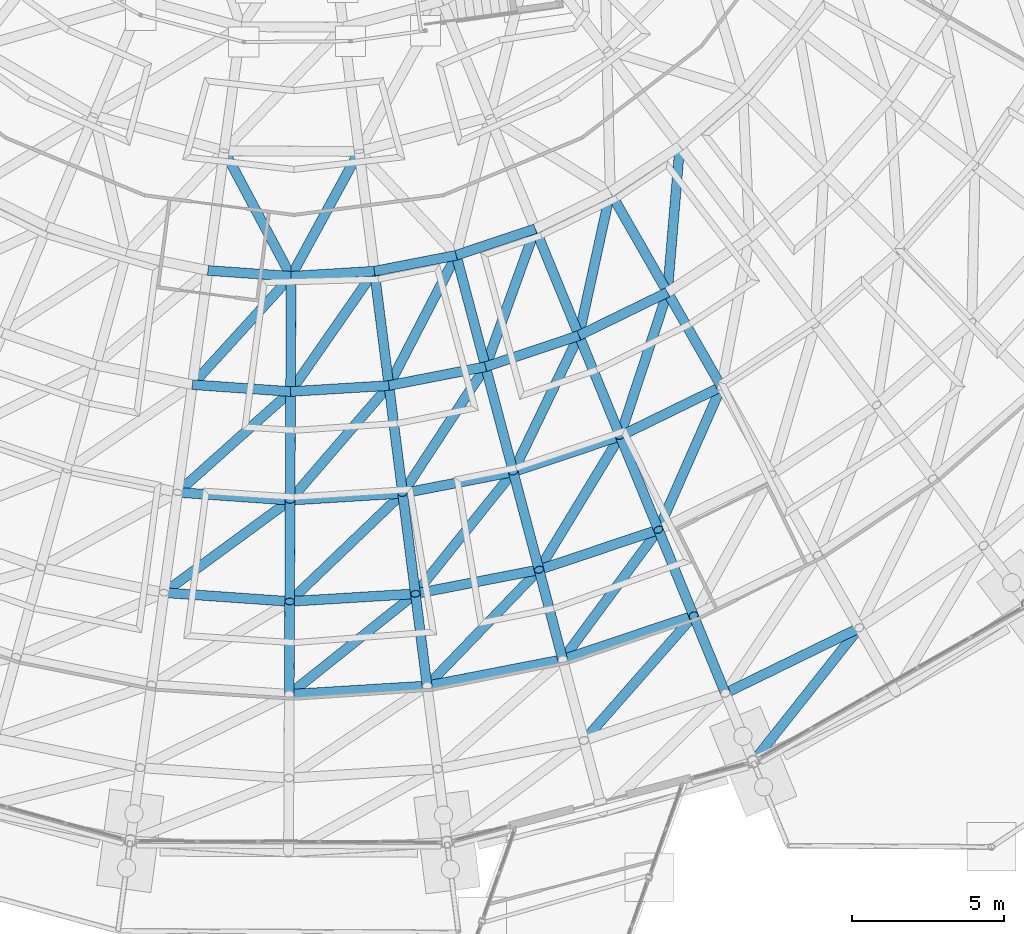
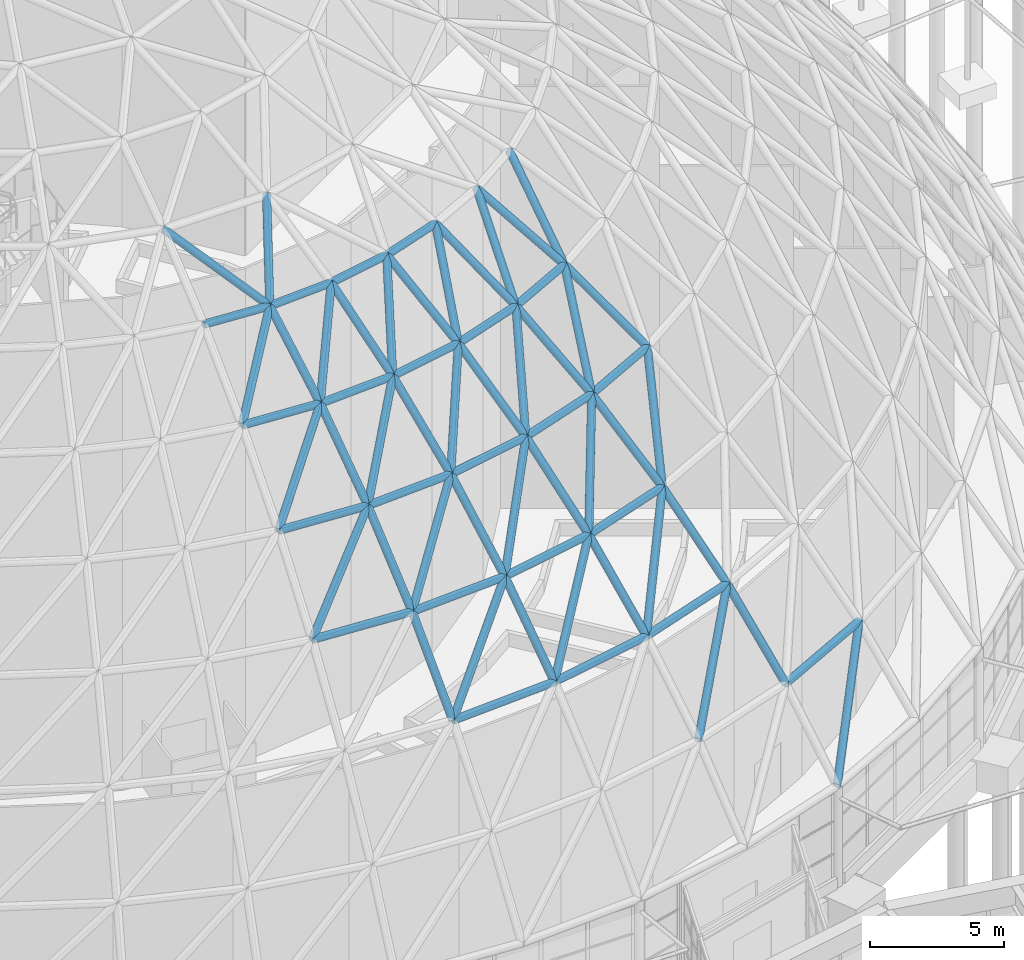
# One storey, part 100 of 226: 64 members.
"""IFC4 building model written with IfcOpenShell, lengths in metres."""

from ifc_helpers import new_model, si_unit, direction, frame, origin, origin_2d, place, context, subcontext, project, spatial, hollow_circle, extrude, material, material_profile, profile_set, type_object, element, save


model = new_model("IFC4")

# Units and contexts
model_context = context("Model", 3, precision=1e-05, world=origin(), true_north=direction((0.0, 1.0)))
body_context = subcontext(model_context, "Body", "Model", "MODEL_VIEW")
ifc_project = project(units=[si_unit("LENGTHUNIT", "METRE"), si_unit("AREAUNIT", "SQUARE_METRE"), si_unit("VOLUMEUNIT", "CUBIC_METRE"), si_unit("PLANEANGLEUNIT", "RADIAN"), si_unit("MASSUNIT", "GRAM", prefix="KILO")], contexts=[model_context])

# Site, building, storey
site_placement = place(None, origin())
site = spatial("IfcSite", under=ifc_project, at=site_placement, CompositionType="ELEMENT")
building_placement = place(site_placement, origin())
building = spatial("IfcBuilding", under=site, at=building_placement, Name="Ceibo Conservatory and Research Tower", CompositionType="ELEMENT")
storey_placement = place(building_placement, origin())
storey = spatial("IfcBuildingStorey", under=building, at=storey_placement, Name="L00", CompositionType="ELEMENT", Elevation=0.0)

# Members
ifc_material = material(Name="Steel ASTM A500 Gr C", Category="steel")
ifc_material_profile_1 = material_profile(ifc_material, hollow_circle(Radius=0.161865234375, WallThickness=0.01025390625, at=origin_2d()), Name="CHS 323.9x10.31")
ifc_profile_set_1 = profile_set([ifc_material_profile_1], Name="Steel ASTM A500 Gr C")
member_type_1 = type_object("IfcMemberType", Name="CHS 323.9x10.31", PredefinedType="NOTDEFINED", material=ifc_profile_set_1)
member_1_placement = place(storey_placement, frame((170.22412109375, 73.23193359375, 8.115966796875), z_axis=(0.898767012924, 0.438426569084, 0.0), x_axis=(-0.438426569084, 0.898767012924, 0.0)))
element("IfcMember", 1, at=member_1_placement, inside=storey, type_object=member_type_1, Name="Gridshell member A-C02-39", PredefinedType="CHORD", context=body_context, shape_type="SweptSolid", body=[
    extrude(hollow_circle(Radius=0.161865234375, WallThickness=0.01025390625, at=origin_2d()), origin(), (0.0, 0.0, 1.0), 4.9130859375),
])
for number, where, z_axis, x_axis, name in (
    (2, (155.847900390625, 73.195068359375, 11.489013671875), (0.998136170096, 0.061026108718, 0.0), (-0.061026108718, 0.998136170096, 0.0), "Gridshell member A-C03-36"),
    (3, (160.39208984375, 73.472900390625, 11.489013671875), (0.981608411762, 0.190905541976, 0.0), (-0.190905541976, 0.981608411762, 0.0), "Gridshell member A-C03-37"),
):
    element("IfcMember", number, at=place(storey_placement, frame(where, z_axis=z_axis, x_axis=x_axis)), inside=storey, type_object=member_type_1, Name=name, PredefinedType="CHORD", context=body_context, shape_type="SweptSolid", body=[
        extrude(hollow_circle(Radius=0.161865234375, WallThickness=0.01025390625, at=origin_2d()), origin(), (0.0, 0.0, 1.0), 4.552734375),
    ])
member_2_placement = place(storey_placement, frame((164.861083984375, 74.342041015625, 11.489013671875), z_axis=(0.948301917191, 0.31736961709, 0.0), x_axis=(-0.31736961709, 0.948301917191, 0.0)))
element("IfcMember", 4, at=member_2_placement, inside=storey, type_object=member_type_1, Name="Gridshell member A-C03-38", PredefinedType="CHORD", context=body_context, shape_type="SweptSolid", body=[
    extrude(hollow_circle(Radius=0.161865234375, WallThickness=0.01025390625, at=origin_2d()), origin(), (0.0, 0.0, 1.0), 4.55322265625),
])
member_3_placement = place(storey_placement, frame((151.718994140625, 76.547119140625, 14.591064453125), z_axis=(0.997557410508, -0.069851361764, 0.0), x_axis=(0.069851361764, 0.997557410508, 0.0)))
element("IfcMember", 5, at=member_3_placement, inside=storey, type_object=member_type_1, Name="Gridshell member A-C04-35", PredefinedType="CHORD", context=body_context, shape_type="SweptSolid", body=[
    extrude(hollow_circle(Radius=0.161865234375, WallThickness=0.01025390625, at=origin_2d()), origin(), (0.0, 0.0, 1.0), 4.15234375),
])
member_4_placement = place(storey_placement, frame((155.861083984375, 76.257080078125, 14.591064453125), z_axis=(0.998129130349, 0.061141141216, 0.0), x_axis=(-0.061141141216, 0.998129130349, 0.0)))
element("IfcMember", 6, at=member_4_placement, inside=storey, type_object=member_type_1, Name="Gridshell member A-C04-36", PredefinedType="CHORD", context=body_context, shape_type="SweptSolid", body=[
    extrude(hollow_circle(Radius=0.161865234375, WallThickness=0.01025390625, at=origin_2d()), origin(), (0.0, 0.0, 1.0), 4.15283203125),
])
member_5_placement = place(storey_placement, frame((160.006103515625, 76.510986328125, 14.591064453125), z_axis=(0.981640168546, 0.190742180699, 0.0), x_axis=(-0.190742180699, 0.981640168546, 0.0)))
element("IfcMember", 7, at=member_5_placement, inside=storey, type_object=member_type_1, Name="Gridshell member A-C04-37", PredefinedType="CHORD", context=body_context, shape_type="SweptSolid", body=[
    extrude(hollow_circle(Radius=0.161865234375, WallThickness=0.01025390625, at=origin_2d()), origin(), (0.0, 0.0, 1.0), 4.152099609375),
])
member_6_placement = place(storey_placement, frame((164.08203125, 77.302978515625, 14.591064453125), z_axis=(0.948264966495, 0.317480004596, 0.0), x_axis=(-0.317480004596, 0.948264966495, 0.0)))
element("IfcMember", 8, at=member_6_placement, inside=storey, type_object=member_type_1, Name="Gridshell member A-C04-38", PredefinedType="CHORD", context=body_context, shape_type="SweptSolid", body=[
    extrude(hollow_circle(Radius=0.161865234375, WallThickness=0.01025390625, at=origin_2d()), origin(), (0.0, 0.0, 1.0), 4.15185546875),
])
member_7_placement = place(storey_placement, frame((155.8759765625, 79.594970703125, 17.39501953125), z_axis=(0.00369728709, 0.822142202026, 0.569270172867), x_axis=(-0.999989888027, 0.00449709271, 0.0)))
element("IfcMember", 9, at=member_7_placement, inside=storey, type_object=member_type_1, Name="Gridshell member A-M36-05", PredefinedType="RAFTER", context=body_context, shape_type="SweptSolid", body=[
    extrude(hollow_circle(Radius=0.161865234375, WallThickness=0.01025390625, at=origin_2d()), origin(), (0.0, 0.0, 1.0), 4.358154296875),
])
member_8_placement = place(storey_placement, frame((159.5849609375, 79.822021484375, 17.39501953125), z_axis=(-0.103701353107, 0.815548674865, 0.569320988801), x_axis=(-0.992012492147, -0.126139666344, 0.0)))
element("IfcMember", 10, at=member_8_placement, inside=storey, type_object=member_type_1, Name="Gridshell member A-M37-05", PredefinedType="RAFTER", context=body_context, shape_type="SweptSolid", body=[
    extrude(hollow_circle(Radius=0.161865234375, WallThickness=0.01025390625, at=origin_2d()), origin(), (0.0, 0.0, 1.0), 4.357666015625),
])
member_9_placement = place(storey_placement, frame((163.23193359375, 80.531005859375, 17.39501953125), z_axis=(-0.20923213437, 0.795082110604, 0.569268259562), x_axis=(-0.967074537263, -0.25449329928, 0.0)))
element("IfcMember", 11, at=member_9_placement, inside=storey, type_object=member_type_1, Name="Gridshell member A-M38-05", PredefinedType="RAFTER", context=body_context, shape_type="SweptSolid", body=[
    extrude(hollow_circle(Radius=0.161865234375, WallThickness=0.01025390625, at=origin_2d()), origin(), (0.0, 0.0, 1.0), 4.358154296875),
])
member_10_placement = place(storey_placement, frame((166.756103515625, 81.7099609375, 17.39501953125), z_axis=(-0.311420288598, 0.760876121558, 0.569284578653), x_axis=(-0.925481817254, -0.378792035202, 0.0)))
element("IfcMember", 12, at=member_10_placement, inside=storey, type_object=member_type_1, Name="Gridshell member A-M39-05", PredefinedType="RAFTER", context=body_context, shape_type="SweptSolid", body=[
    extrude(hollow_circle(Radius=0.161865234375, WallThickness=0.01025390625, at=origin_2d()), origin(), (0.0, 0.0, 1.0), 4.35791015625),
])
member_11_placement = place(storey_placement, frame((170.094970703125, 83.339111328125, 17.39501953125), z_axis=(-0.407982781221, 0.713787806992, 0.569260060795), x_axis=(-0.868188628102, -0.496234325731, 0.0)))
element("IfcMember", 13, at=member_11_placement, inside=storey, type_object=member_type_1, Name="Gridshell member A-M40-05", PredefinedType="RAFTER", context=body_context, shape_type="SweptSolid", body=[
    extrude(hollow_circle(Radius=0.161865234375, WallThickness=0.01025390625, at=origin_2d()), origin(), (0.0, 0.0, 1.0), 4.358154296875),
])
member_12_placement = place(storey_placement, frame((155.89208984375, 83.177978515625, 19.8759765625), z_axis=(0.003639937744, 0.871625092103, 0.490159616523), x_axis=(-0.999991280476, 0.004175999565, 0.0)))
element("IfcMember", 14, at=member_12_placement, inside=storey, type_object=member_type_1, Name="Gridshell member A-M36-06", PredefinedType="RAFTER", context=body_context, shape_type="SweptSolid", body=[
    extrude(hollow_circle(Radius=0.161865234375, WallThickness=0.01025390625, at=origin_2d()), origin(), (0.0, 0.0, 1.0), 4.359619140625),
])
member_13_placement = place(storey_placement, frame((159.133056640625, 83.3759765625, 19.8759765625), z_axis=(-0.110085992595, 0.864673396571, 0.490123445162), x_axis=(-0.991992644609, -0.126295657253, 0.0)))
element("IfcMember", 15, at=member_13_placement, inside=storey, type_object=member_type_1, Name="Gridshell member A-M37-06", PredefinedType="RAFTER", context=body_context, shape_type="SweptSolid", body=[
    extrude(hollow_circle(Radius=0.161865234375, WallThickness=0.01025390625, at=origin_2d()), origin(), (0.0, 0.0, 1.0), 4.360107421875),
])
member_14_placement = place(storey_placement, frame((162.320068359375, 83.99609375, 19.8759765625), z_axis=(-0.222032554311, 0.84288373455, 0.490151563149), x_axis=(-0.967012094231, -0.254730464631, 0.0)))
element("IfcMember", 16, at=member_14_placement, inside=storey, type_object=member_type_1, Name="Gridshell member A-M38-06", PredefinedType="RAFTER", context=body_context, shape_type="SweptSolid", body=[
    extrude(hollow_circle(Radius=0.161865234375, WallThickness=0.01025390625, at=origin_2d()), origin(), (0.0, 0.0, 1.0), 4.35986328125),
])
member_15_placement = place(storey_placement, frame((165.39892578125, 85.02587890625, 19.8759765625), z_axis=(-0.330059067962, 0.806723945208, 0.49016067558), x_axis=(-0.925532628043, -0.378667868227, 0.0)))
element("IfcMember", 17, at=member_15_placement, inside=storey, type_object=member_type_1, Name="Gridshell member A-M39-06", PredefinedType="RAFTER", context=body_context, shape_type="SweptSolid", body=[
    extrude(hollow_circle(Radius=0.161865234375, WallThickness=0.01025390625, at=origin_2d()), origin(), (0.0, 0.0, 1.0), 4.359619140625),
])
member_16_placement = place(storey_placement, frame((168.31689453125, 86.449951171875, 19.8759765625), z_axis=(-0.432590332967, 0.756711089888, 0.490157046532), x_axis=(-0.868152195161, -0.49629806169, 0.0)))
element("IfcMember", 18, at=member_16_placement, inside=storey, type_object=member_type_1, Name="Gridshell member A-M40-06", PredefinedType="RAFTER", context=body_context, shape_type="SweptSolid", body=[
    extrude(hollow_circle(Radius=0.161865234375, WallThickness=0.01025390625, at=origin_2d()), origin(), (0.0, 0.0, 1.0), 4.35986328125),
])
ifc_material_profile_2 = material_profile(ifc_material, hollow_circle(Radius=0.161865234375, WallThickness=0.01416015625, at=origin_2d()), Name="CHS 323.9x14.27")
ifc_profile_set_2 = profile_set([ifc_material_profile_2], Name="Steel ASTM A500 Gr C")
member_type_2 = type_object("IfcMemberType", Name="CHS 323.9x14.27", PredefinedType="NOTDEFINED", material=ifc_profile_set_2)
for number, where, z_axis, x_axis, name in (
    (19, (170.22412109375, 73.23193359375, 8.115966796875), (-0.239785476286, 0.586216957441, 0.773855673993), (-0.92556385973, -0.378591523362, 0.0), "Gridshell member A-M39-02"),
    (20, (155.847900390625, 73.195068359375, 11.489013671875), (0.003024618665, 0.702495690598, 0.711681569505), (-0.99999073132, 0.004305493501, 0.0), "Gridshell member A-M36-03"),
):
    element("IfcMember", number, at=place(storey_placement, frame(where, z_axis=z_axis, x_axis=x_axis)), inside=storey, type_object=member_type_2, Name=name, PredefinedType="RAFTER", context=body_context, shape_type="SweptSolid", body=[
        extrude(hollow_circle(Radius=0.161865234375, WallThickness=0.01416015625, at=origin_2d()), origin(), (0.0, 0.0, 1.0), 4.358642578125),
    ])
member_17_placement = place(storey_placement, frame((160.39208984375, 73.472900390625, 11.489013671875), z_axis=(-0.088547443855, 0.69695407421, 0.711627970662), x_axis=(-0.992025662364, -0.126036047268, 0.0)))
element("IfcMember", 21, at=member_17_placement, inside=storey, type_object=member_type_2, Name="Gridshell member A-M37-03", PredefinedType="RAFTER", context=body_context, shape_type="SweptSolid", body=[
    extrude(hollow_circle(Radius=0.161865234375, WallThickness=0.01416015625, at=origin_2d()), origin(), (0.0, 0.0, 1.0), 4.359130859375),
])
member_18_placement = place(storey_placement, frame((164.861083984375, 74.342041015625, 11.489013671875), z_axis=(-0.178742039875, 0.679342983267, 0.711719322674), x_axis=(-0.967085898206, -0.254450123778, 0.0)))
element("IfcMember", 22, at=member_18_placement, inside=storey, type_object=member_type_2, Name="Gridshell member A-M38-03", PredefinedType="RAFTER", context=body_context, shape_type="SweptSolid", body=[
    extrude(hollow_circle(Radius=0.161865234375, WallThickness=0.01416015625, at=origin_2d()), origin(), (0.0, 0.0, 1.0), 4.358642578125),
])
member_19_placement = place(storey_placement, frame((169.178955078125, 75.787109375, 11.489013671875), z_axis=(-0.266105010846, 0.650167746981, 0.71166707384), x_axis=(-0.925483442956, -0.378788063188, 0.0)))
element("IfcMember", 23, at=member_19_placement, inside=storey, type_object=member_type_2, Name="Gridshell member A-M39-03", PredefinedType="RAFTER", context=body_context, shape_type="SweptSolid", body=[
    extrude(hollow_circle(Radius=0.161865234375, WallThickness=0.01416015625, at=origin_2d()), origin(), (0.0, 0.0, 1.0), 4.35888671875),
])
member_20_placement = place(storey_placement, frame((155.861083984375, 76.257080078125, 14.591064453125), z_axis=(0.003416241171, 0.765686053953, 0.643205407376), x_axis=(-0.999990046883, 0.004461629086, 0.0)))
element("IfcMember", 24, at=member_20_placement, inside=storey, type_object=member_type_2, Name="Gridshell member A-M36-04", PredefinedType="RAFTER", context=body_context, shape_type="SweptSolid", body=[
    extrude(hollow_circle(Radius=0.161865234375, WallThickness=0.01416015625, at=origin_2d()), origin(), (0.0, 0.0, 1.0), 4.359375),
])
member_21_placement = place(storey_placement, frame((160.006103515625, 76.510986328125, 14.591064453125), z_axis=(-0.09661043138, 0.759554011809, 0.643229451823), x_axis=(-0.992007736093, -0.126177064206, 0.0)))
element("IfcMember", 25, at=member_21_placement, inside=storey, type_object=member_type_2, Name="Gridshell member A-M37-04", PredefinedType="RAFTER", context=body_context, shape_type="SweptSolid", body=[
    extrude(hollow_circle(Radius=0.161865234375, WallThickness=0.01416015625, at=origin_2d()), origin(), (0.0, 0.0, 1.0), 4.359130859375),
])
member_22_placement = place(storey_placement, frame((164.08203125, 77.302978515625, 14.591064453125), z_axis=(-0.19500016948, 0.740463021501, 0.643186946146), x_axis=(-0.967029047495, -0.254666097669, 0.0)))
element("IfcMember", 26, at=member_22_placement, inside=storey, type_object=member_type_2, Name="Gridshell member A-M38-04", PredefinedType="RAFTER", context=body_context, shape_type="SweptSolid", body=[
    extrude(hollow_circle(Radius=0.161865234375, WallThickness=0.01416015625, at=origin_2d()), origin(), (0.0, 0.0, 1.0), 4.359375),
])
member_23_placement = place(storey_placement, frame((168.01904296875, 78.62109375, 14.591064453125), z_axis=(-0.289751291914, 0.708666797854, 0.64330051955), x_axis=(-0.925619192859, -0.378456219148, 0.0)))
element("IfcMember", 27, at=member_23_placement, inside=storey, type_object=member_type_2, Name="Gridshell member A-M39-04", PredefinedType="RAFTER", context=body_context, shape_type="SweptSolid", body=[
    extrude(hollow_circle(Radius=0.161865234375, WallThickness=0.01416015625, at=origin_2d()), origin(), (0.0, 0.0, 1.0), 4.358642578125),
])
ifc_material_profile_3 = material_profile(ifc_material, hollow_circle(Radius=0.161865234375, WallThickness=0.00634765625, at=origin_2d()), Name="CHS 323.9x6.35")
ifc_profile_set_3 = profile_set([ifc_material_profile_3], Name="Steel ASTM A500 Gr C")
member_type_3 = type_object("IfcMemberType", Name="CHS 323.9x6.35", PredefinedType="NOTDEFINED", material=ifc_profile_set_3)
member_24_placement = place(storey_placement, frame((152.169921875, 79.85400390625, 17.39501953125), z_axis=(0.667891325736, 0.596441059943, 0.445173268538), x_axis=(-0.666083820954, 0.745876895649, 0.0)))
element("IfcMember", 28, at=member_24_placement, inside=storey, type_object=member_type_3, Name="Gridshell diagonal member A-D05-35", PredefinedType="BRACE", context=body_context, shape_type="SweptSolid", body=[
    extrude(hollow_circle(Radius=0.161865234375, WallThickness=0.00634765625, at=origin_2d()), origin(), (0.0, 0.0, 1.0), 5.572998046875),
])
member_25_placement = place(storey_placement, frame((155.8759765625, 79.594970703125, 17.39501953125), z_axis=(0.584426152489, 0.678435486365, 0.445164422576), x_axis=(-0.757648512188, 0.65266280113, 0.0)))
element("IfcMember", 29, at=member_25_placement, inside=storey, type_object=member_type_3, Name="Gridshell diagonal member A-D05-36", PredefinedType="BRACE", context=body_context, shape_type="SweptSolid", body=[
    extrude(hollow_circle(Radius=0.161865234375, WallThickness=0.00634765625, at=origin_2d()), origin(), (0.0, 0.0, 1.0), 5.5732421875),
])
member_26_placement = place(storey_placement, frame((159.5849609375, 79.822021484375, 17.39501953125), z_axis=(0.490774257322, 0.748975049311, 0.445170758092), x_axis=(-0.836427102038, 0.548078190568, 0.0)))
element("IfcMember", 30, at=member_26_placement, inside=storey, type_object=member_type_3, Name="Gridshell diagonal member A-D05-37", PredefinedType="BRACE", context=body_context, shape_type="SweptSolid", body=[
    extrude(hollow_circle(Radius=0.161865234375, WallThickness=0.00634765625, at=origin_2d()), origin(), (0.0, 0.0, 1.0), 5.572998046875),
])
member_27_placement = place(storey_placement, frame((163.23193359375, 80.531005859375, 17.39501953125), z_axis=(0.38885919382, 0.806589298942, 0.445199090536), x_axis=(-0.900782694212, 0.434270120788, 0.0)))
element("IfcMember", 31, at=member_27_placement, inside=storey, type_object=member_type_3, Name="Gridshell diagonal member A-D05-38", PredefinedType="BRACE", context=body_context, shape_type="SweptSolid", body=[
    extrude(hollow_circle(Radius=0.161865234375, WallThickness=0.00634765625, at=origin_2d()), origin(), (0.0, 0.0, 1.0), 5.57275390625),
])
member_28_placement = place(storey_placement, frame((166.756103515625, 81.7099609375, 17.39501953125), z_axis=(0.280061205004, 0.850522179751, 0.445171588495), x_axis=(-0.949831547348, 0.31276194088, 0.0)))
element("IfcMember", 32, at=member_28_placement, inside=storey, type_object=member_type_3, Name="Gridshell diagonal member A-D05-39", PredefinedType="BRACE", context=body_context, shape_type="SweptSolid", body=[
    extrude(hollow_circle(Radius=0.161865234375, WallThickness=0.00634765625, at=origin_2d()), origin(), (0.0, 0.0, 1.0), 5.572998046875),
])
member_29_placement = place(storey_placement, frame((152.653076171875, 83.405029296875, 19.8759765625), z_axis=(0.615916382869, 0.67611283103, 0.404374144859), x_axis=(-0.739249423461, 0.673431726244, 0.0)))
element("IfcMember", 33, at=member_29_placement, inside=storey, type_object=member_type_3, Name="Gridshell diagonal member A-D06-35", PredefinedType="BRACE", context=body_context, shape_type="SweptSolid", body=[
    extrude(hollow_circle(Radius=0.161865234375, WallThickness=0.00634765625, at=origin_2d()), origin(), (0.0, 0.0, 1.0), 5.28466796875),
])
member_30_placement = place(storey_placement, frame((155.89208984375, 83.177978515625, 19.8759765625), z_axis=(0.522385750807, 0.750759183648, 0.404318903247), x_axis=(-0.820844463452, 0.57115178965, 0.0)))
element("IfcMember", 34, at=member_30_placement, inside=storey, type_object=member_type_3, Name="Gridshell diagonal member A-D06-36", PredefinedType="BRACE", context=body_context, shape_type="SweptSolid", body=[
    extrude(hollow_circle(Radius=0.161865234375, WallThickness=0.00634765625, at=origin_2d()), origin(), (0.0, 0.0, 1.0), 5.285400390625),
])
member_31_placement = place(storey_placement, frame((159.133056640625, 83.3759765625, 19.8759765625), z_axis=(0.41982379898, 0.812580071698, 0.404303852181), x_axis=(-0.888430025813, 0.459012079617, 0.0)))
element("IfcMember", 35, at=member_31_placement, inside=storey, type_object=member_type_3, Name="Gridshell diagonal member A-D06-37", PredefinedType="BRACE", context=body_context, shape_type="SweptSolid", body=[
    extrude(hollow_circle(Radius=0.161865234375, WallThickness=0.00634765625, at=origin_2d()), origin(), (0.0, 0.0, 1.0), 5.28564453125),
])
member_32_placement = place(storey_placement, frame((162.320068359375, 83.99609375, 19.8759765625), z_axis=(0.310299070136, 0.860355796073, 0.404354289252), x_axis=(-0.940688288044, 0.339272080691, 0.0)))
element("IfcMember", 36, at=member_32_placement, inside=storey, type_object=member_type_3, Name="Gridshell diagonal member A-D06-38", PredefinedType="BRACE", context=body_context, shape_type="SweptSolid", body=[
    extrude(hollow_circle(Radius=0.161865234375, WallThickness=0.00634765625, at=origin_2d()), origin(), (0.0, 0.0, 1.0), 5.284912109375),
])
member_33_placement = place(storey_placement, frame((165.39892578125, 85.02587890625, 19.8759765625), z_axis=(0.195236714133, 0.893553222526, 0.404283642963), x_axis=(-0.976952040422, 0.213458920442, 0.0)))
element("IfcMember", 37, at=member_33_placement, inside=storey, type_object=member_type_3, Name="Gridshell diagonal member A-D06-39", PredefinedType="BRACE", context=body_context, shape_type="SweptSolid", body=[
    extrude(hollow_circle(Radius=0.161865234375, WallThickness=0.00634765625, at=origin_2d()), origin(), (0.0, 0.0, 1.0), 5.285888671875),
])
member_34_placement = place(storey_placement, frame((168.31689453125, 86.449951171875, 19.8759765625), z_axis=(0.077057915838, 0.911343828379, 0.404369266985), x_axis=(-0.996444350914, 0.084253519406, 0.0)))
element("IfcMember", 38, at=member_34_placement, inside=storey, type_object=member_type_3, Name="Gridshell diagonal member A-D06-40", PredefinedType="BRACE", context=body_context, shape_type="SweptSolid", body=[
    extrude(hollow_circle(Radius=0.161865234375, WallThickness=0.00634765625, at=origin_2d()), origin(), (0.0, 0.0, 1.0), 5.28466796875),
])
for number, where, z_axis, x_axis, name in (
    (39, (155.907958984375, 86.97802734375, 22.012939453125), (-0.440048244196, 0.825212206497, 0.354093712212), (-0.88238176902, -0.470534179101, 0.0), "Gridshell diagonal member A-D07-36"),
    (40, (155.907958984375, 86.97802734375, 22.012939453125), (0.447412781829, 0.821238896265, 0.354102355141), (-0.878136266102, 0.478410595782, 0.0), "Gridshell diagonal member A-D07-37"),
):
    element("IfcMember", number, at=place(storey_placement, frame(where, z_axis=z_axis, x_axis=x_axis)), inside=storey, type_object=member_type_3, Name=name, PredefinedType="BRACE", context=body_context, shape_type="SweptSolid", body=[
        extrude(hollow_circle(Radius=0.161865234375, WallThickness=0.00634765625, at=origin_2d()), origin(), (0.0, 0.0, 1.0), 5.01318359375),
    ])
ifc_material_profile_4 = material_profile(ifc_material, hollow_circle(Radius=0.161865234375, WallThickness=0.00830078125, at=origin_2d()), Name="CHS 323.9x8.38")
ifc_profile_set_4 = profile_set([ifc_material_profile_4], Name="Steel ASTM A500 Gr C")
member_type_4 = type_object("IfcMemberType", Name="CHS 323.9x8.38", PredefinedType="NOTDEFINED", material=ifc_profile_set_4)
member_35_placement = place(storey_placement, frame((152.169921875, 79.85400390625, 17.39501953125), z_axis=(0.997566285938, -0.069724494689, 0.0), x_axis=(0.069724494689, 0.997566285938, 0.0)))
element("IfcMember", 41, at=member_35_placement, inside=storey, type_object=member_type_4, Name="Gridshell member A-C05-35", PredefinedType="CHORD", context=body_context, shape_type="SweptSolid", body=[
    extrude(hollow_circle(Radius=0.161865234375, WallThickness=0.00830078125, at=origin_2d()), origin(), (0.0, 0.0, 1.0), 3.715087890625),
])
member_36_placement = place(storey_placement, frame((155.8759765625, 79.594970703125, 17.39501953125), z_axis=(0.998131524247, 0.061102048285, 0.0), x_axis=(-0.061102048285, 0.998131524247, 0.0)))
element("IfcMember", 42, at=member_36_placement, inside=storey, type_object=member_type_4, Name="Gridshell member A-C05-36", PredefinedType="CHORD", context=body_context, shape_type="SweptSolid", body=[
    extrude(hollow_circle(Radius=0.161865234375, WallThickness=0.00830078125, at=origin_2d()), origin(), (0.0, 0.0, 1.0), 3.7158203125),
])
member_37_placement = place(storey_placement, frame((159.5849609375, 79.822021484375, 17.39501953125), z_axis=(0.981622912939, 0.190830963929, 0.0), x_axis=(-0.190830963929, 0.981622912939, 0.0)))
element("IfcMember", 43, at=member_37_placement, inside=storey, type_object=member_type_4, Name="Gridshell member A-C05-37", PredefinedType="CHORD", context=body_context, shape_type="SweptSolid", body=[
    extrude(hollow_circle(Radius=0.161865234375, WallThickness=0.00830078125, at=origin_2d()), origin(), (0.0, 0.0, 1.0), 3.71533203125),
])
member_38_placement = place(storey_placement, frame((163.23193359375, 80.531005859375, 17.39501953125), z_axis=(0.94834111828, 0.317252460005, 0.0), x_axis=(-0.317252460005, 0.94834111828, 0.0)))
element("IfcMember", 44, at=member_38_placement, inside=storey, type_object=member_type_4, Name="Gridshell member A-C05-38", PredefinedType="CHORD", context=body_context, shape_type="SweptSolid", body=[
    extrude(hollow_circle(Radius=0.161865234375, WallThickness=0.00830078125, at=origin_2d()), origin(), (0.0, 0.0, 1.0), 3.716064453125),
])
member_39_placement = place(storey_placement, frame((166.756103515625, 81.7099609375, 17.39501953125), z_axis=(0.89872233576, 0.438518144671, 0.0), x_axis=(-0.438518144671, 0.89872233576, 0.0)))
element("IfcMember", 45, at=member_39_placement, inside=storey, type_object=member_type_4, Name="Gridshell member A-C05-39", PredefinedType="CHORD", context=body_context, shape_type="SweptSolid", body=[
    extrude(hollow_circle(Radius=0.161865234375, WallThickness=0.00830078125, at=origin_2d()), origin(), (0.0, 0.0, 1.0), 3.715087890625),
])
for number, where, z_axis, x_axis, name in (
    (46, (152.653076171875, 83.405029296875, 19.8759765625), (0.99755210098, -0.069927146598, 0.0), (0.069927146598, 0.99755210098, 0.0), "Gridshell member A-C06-35"),
    (47, (155.89208984375, 83.177978515625, 19.8759765625), (0.998139074227, 0.060978590523, 0.0), (-0.060978590523, 0.998139074227, 0.0), "Gridshell member A-C06-36"),
):
    element("IfcMember", number, at=place(storey_placement, frame(where, z_axis=z_axis, x_axis=x_axis)), inside=storey, type_object=member_type_4, Name=name, PredefinedType="CHORD", context=body_context, shape_type="SweptSolid", body=[
        extrude(hollow_circle(Radius=0.161865234375, WallThickness=0.00830078125, at=origin_2d()), origin(), (0.0, 0.0, 1.0), 3.2470703125),
    ])
member_40_placement = place(storey_placement, frame((159.133056640625, 83.3759765625, 19.8759765625), z_axis=(0.981591118181, 0.190994441564, 0.0), x_axis=(-0.190994441564, 0.981591118181, 0.0)))
element("IfcMember", 48, at=member_40_placement, inside=storey, type_object=member_type_4, Name="Gridshell member A-C06-37", PredefinedType="CHORD", context=body_context, shape_type="SweptSolid", body=[
    extrude(hollow_circle(Radius=0.161865234375, WallThickness=0.00830078125, at=origin_2d()), origin(), (0.0, 0.0, 1.0), 3.246826171875),
])
member_41_placement = place(storey_placement, frame((162.320068359375, 83.99609375, 19.8759765625), z_axis=(0.948359437885, 0.317197693204, 0.0), x_axis=(-0.317197693204, 0.948359437885, 0.0)))
element("IfcMember", 49, at=member_41_placement, inside=storey, type_object=member_type_4, Name="Gridshell member A-C06-38", PredefinedType="CHORD", context=body_context, shape_type="SweptSolid", body=[
    extrude(hollow_circle(Radius=0.161865234375, WallThickness=0.00830078125, at=origin_2d()), origin(), (0.0, 0.0, 1.0), 3.24658203125),
])
member_42_placement = place(storey_placement, frame((165.39892578125, 85.02587890625, 19.8759765625), z_axis=(0.898686771042, 0.438591025392, 0.0), x_axis=(-0.438591025392, 0.898686771042, 0.0)))
element("IfcMember", 50, at=member_42_placement, inside=storey, type_object=member_type_4, Name="Gridshell member A-C06-39", PredefinedType="CHORD", context=body_context, shape_type="SweptSolid", body=[
    extrude(hollow_circle(Radius=0.161865234375, WallThickness=0.00830078125, at=origin_2d()), origin(), (0.0, 0.0, 1.0), 3.246826171875),
])
member_43_placement = place(storey_placement, frame((153.1650390625, 87.169921875, 22.012939453125), z_axis=(0.997561749613, -0.069789366729, 0.0), x_axis=(0.069789366729, 0.997561749613, 0.0)))
element("IfcMember", 51, at=member_43_placement, inside=storey, type_object=member_type_4, Name="Gridshell member A-C07-35", PredefinedType="CHORD", context=body_context, shape_type="SweptSolid", body=[
    extrude(hollow_circle(Radius=0.161865234375, WallThickness=0.00830078125, at=origin_2d()), origin(), (0.0, 0.0, 1.0), 2.74951171875),
])
member_44_placement = place(storey_placement, frame((155.907958984375, 86.97802734375, 22.012939453125), z_axis=(0.998133242961, 0.061073965774, 0.0), x_axis=(-0.061073965774, 0.998133242961, 0.0)))
element("IfcMember", 52, at=member_44_placement, inside=storey, type_object=member_type_4, Name="Gridshell member A-C07-36", PredefinedType="CHORD", context=body_context, shape_type="SweptSolid", body=[
    extrude(hollow_circle(Radius=0.161865234375, WallThickness=0.00830078125, at=origin_2d()), origin(), (0.0, 0.0, 1.0), 2.750244140625),
])
member_45_placement = place(storey_placement, frame((158.653076171875, 87.14599609375, 22.012939453125), z_axis=(0.981608457213, 0.190905308277, 0.0), x_axis=(-0.190905308277, 0.981608457213, 0.0)))
element("IfcMember", 53, at=member_45_placement, inside=storey, type_object=member_type_4, Name="Gridshell member A-C07-37", PredefinedType="CHORD", context=body_context, shape_type="SweptSolid", body=[
    extrude(hollow_circle(Radius=0.161865234375, WallThickness=0.00830078125, at=origin_2d()), origin(), (0.0, 0.0, 1.0), 2.74951171875),
])
member_46_placement = place(storey_placement, frame((161.35205078125, 87.6708984375, 22.012939453125), z_axis=(0.948381003308, 0.317133209494, 0.0), x_axis=(-0.317133209494, 0.948381003308, 0.0)))
element("IfcMember", 54, at=member_46_placement, inside=storey, type_object=member_type_4, Name="Gridshell member A-C07-38", PredefinedType="CHORD", context=body_context, shape_type="SweptSolid", body=[
    extrude(hollow_circle(Radius=0.161865234375, WallThickness=0.00830078125, at=origin_2d()), origin(), (0.0, 0.0, 1.0), 2.749755859375),
])
member_47_placement = place(storey_placement, frame((171.14599609375, 70.97802734375, 4.5), z_axis=(0.522510378698, 0.659207944056, 0.540765929627), x_axis=(-0.783676905885, 0.621168662427, 0.0)))
element("IfcMember", 55, at=member_47_placement, inside=storey, type_object=member_type_4, Name="Gridshell diagonal member A-D01-39", PredefinedType="BRACE", context=body_context, shape_type="SweptSolid", body=[
    extrude(hollow_circle(Radius=0.161865234375, WallThickness=0.00830078125, at=origin_2d()), origin(), (0.0, 0.0, 1.0), 6.686767578125),
])
member_48_placement = place(storey_placement, frame((165.56396484375, 71.673095703125, 8.115966796875), z_axis=(0.562031492487, 0.639615903283, 0.524415958682), x_axis=(-0.751197049716, 0.660078020008, 0.0)))
element("IfcMember", 56, at=member_48_placement, inside=storey, type_object=member_type_4, Name="Gridshell diagonal member A-D02-38", PredefinedType="BRACE", context=body_context, shape_type="SweptSolid", body=[
    extrude(hollow_circle(Radius=0.161865234375, WallThickness=0.00830078125, at=origin_2d()), origin(), (0.0, 0.0, 1.0), 6.431884765625),
])
for number, where, z_axis, x_axis, name in (
    (57, (155.847900390625, 73.195068359375, 11.489013671875), (0.675361570815, 0.538560407164, 0.50382480735), (-0.623473898709, 0.781844164542, 0.0), "Gridshell diagonal member A-D03-36"),
    (58, (160.39208984375, 73.472900390625, 11.489013671875), (0.59931437164, 0.62207515299, 0.503830118173), (-0.720158791099, 0.693809278982, 0.0), "Gridshell diagonal member A-D03-37"),
):
    element("IfcMember", number, at=place(storey_placement, frame(where, z_axis=z_axis, x_axis=x_axis)), inside=storey, type_object=member_type_4, Name=name, PredefinedType="BRACE", context=body_context, shape_type="SweptSolid", body=[
        extrude(hollow_circle(Radius=0.161865234375, WallThickness=0.00830078125, at=origin_2d()), origin(), (0.0, 0.0, 1.0), 6.156982421875),
    ])
member_49_placement = place(storey_placement, frame((164.861083984375, 74.342041015625, 11.489013671875), z_axis=(0.51292531183, 0.695016771584, 0.50384453128), x_axis=(-0.804609068462, 0.59380488963, 0.0)))
element("IfcMember", 59, at=member_49_placement, inside=storey, type_object=member_type_4, Name="Gridshell diagonal member A-D03-38", PredefinedType="BRACE", context=body_context, shape_type="SweptSolid", body=[
    extrude(hollow_circle(Radius=0.161865234375, WallThickness=0.00830078125, at=origin_2d()), origin(), (0.0, 0.0, 1.0), 6.15673828125),
])
member_50_placement = place(storey_placement, frame((151.718994140625, 76.547119140625, 14.591064453125), z_axis=(0.708429514607, 0.519412348643, 0.477847711003), x_axis=(-0.591287687534, 0.806460706155, 0.0)))
element("IfcMember", 60, at=member_50_placement, inside=storey, type_object=member_type_4, Name="Gridshell diagonal member A-D04-35", PredefinedType="BRACE", context=body_context, shape_type="SweptSolid", body=[
    extrude(hollow_circle(Radius=0.161865234375, WallThickness=0.00830078125, at=origin_2d()), origin(), (0.0, 0.0, 1.0), 5.867919921875),
])
member_51_placement = place(storey_placement, frame((155.861083984375, 76.257080078125, 14.591064453125), z_axis=(0.634563233735, 0.607479993378, 0.47780493932), x_axis=(-0.691523658499, 0.722353812018, 0.0)))
element("IfcMember", 61, at=member_51_placement, inside=storey, type_object=member_type_4, Name="Gridshell diagonal member A-D04-36", PredefinedType="BRACE", context=body_context, shape_type="SweptSolid", body=[
    extrude(hollow_circle(Radius=0.161865234375, WallThickness=0.00830078125, at=origin_2d()), origin(), (0.0, 0.0, 1.0), 5.868408203125),
])
member_52_placement = place(storey_placement, frame((160.006103515625, 76.510986328125, 14.591064453125), z_axis=(0.549770167466, 0.6851218934, 0.477871064357), x_axis=(-0.779939098, 0.625855417337, 0.0)))
element("IfcMember", 62, at=member_52_placement, inside=storey, type_object=member_type_4, Name="Gridshell diagonal member A-D04-37", PredefinedType="BRACE", context=body_context, shape_type="SweptSolid", body=[
    extrude(hollow_circle(Radius=0.161865234375, WallThickness=0.00830078125, at=origin_2d()), origin(), (0.0, 0.0, 1.0), 5.86767578125),
])
member_53_placement = place(storey_placement, frame((164.08203125, 77.302978515625, 14.591064453125), z_axis=(0.455698270377, 0.751009721407, 0.477832067496), x_axis=(-0.854924803133, 0.518751945527, 0.0)))
element("IfcMember", 63, at=member_53_placement, inside=storey, type_object=member_type_4, Name="Gridshell diagonal member A-D04-38", PredefinedType="BRACE", context=body_context, shape_type="SweptSolid", body=[
    extrude(hollow_circle(Radius=0.161865234375, WallThickness=0.00830078125, at=origin_2d()), origin(), (0.0, 0.0, 1.0), 5.8681640625),
])
member_54_placement = place(storey_placement, frame((168.01904296875, 78.62109375, 14.591064453125), z_axis=(0.353781673788, 0.80404925861, 0.477852819412), x_axis=(-0.915315032423, 0.402738614266, 0.0)))
element("IfcMember", 64, at=member_54_placement, inside=storey, type_object=member_type_4, Name="Gridshell diagonal member A-D04-39", PredefinedType="BRACE", context=body_context, shape_type="SweptSolid", body=[
    extrude(hollow_circle(Radius=0.161865234375, WallThickness=0.00830078125, at=origin_2d()), origin(), (0.0, 0.0, 1.0), 5.867919921875),
])

save(model, "model.ifc")
